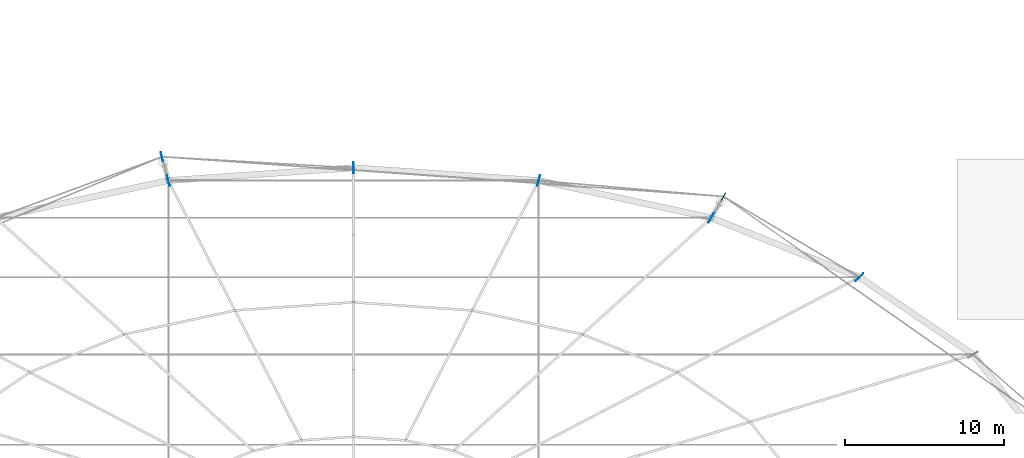
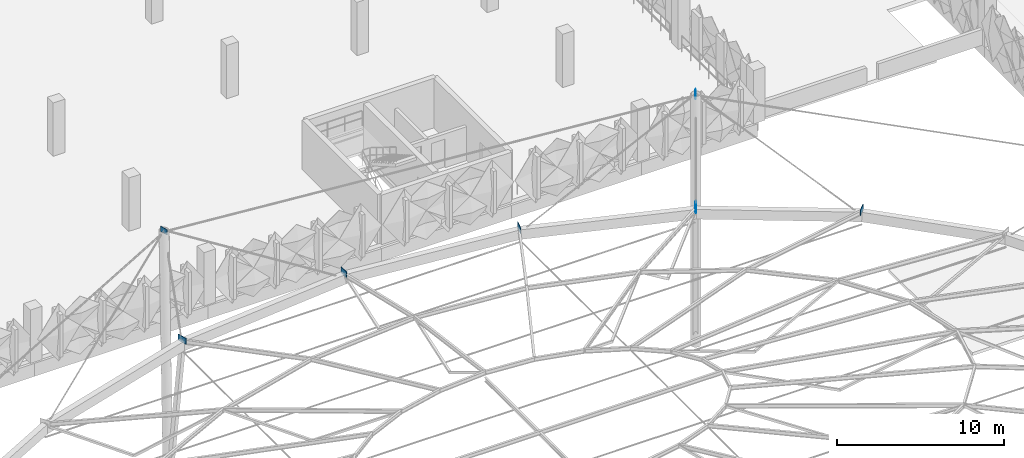
# One storey, part 44 of 96: 7 plates.
"""IFC4 building model written with IfcOpenShell, lengths in metres."""

from ifc_helpers import new_model, si_unit, derived_unit, direction, frame, origin, origin_2d, place, context, subcontext, project, spatial, rectangle, extrude, material, layer, layer_set, type_object, element, save


model = new_model("IFC4")

# Units and contexts
model_context = context("Model", 3, precision=1e-05, world=origin(), true_north=direction((0.0, 1.0)))
body_context = subcontext(model_context, "Body", "Model", "MODEL_VIEW")
ifc_project = project(units=[si_unit("LENGTHUNIT", "METRE"), si_unit("AREAUNIT", "SQUARE_METRE"), si_unit("VOLUMEUNIT", "CUBIC_METRE"), si_unit("PLANEANGLEUNIT", "RADIAN"), si_unit("MASSUNIT", "GRAM", prefix="KILO"), si_unit("THERMODYNAMICTEMPERATUREUNIT", "KELVIN"), derived_unit("THERMALTRANSMITTANCEUNIT", [(si_unit("POWERUNIT", "WATT"), 1), (si_unit("AREAUNIT", "SQUARE_METRE"), -1), (si_unit("THERMODYNAMICTEMPERATUREUNIT", "KELVIN"), -1)])], contexts=[model_context])

# Site, building, storey
site_placement = place(None, origin())
site = spatial("IfcSite", under=ifc_project, at=site_placement, CompositionType="ELEMENT")
building_placement = place(site_placement, origin())
building = spatial("IfcBuilding", under=site, at=building_placement, Name="Haiyu Intermodal Mobility Hub", CompositionType="ELEMENT")
storey_placement = place(building_placement, frame((0.0, 0.0, 9.5)))
storey = spatial("IfcBuildingStorey", under=building, at=storey_placement, Name="L02", CompositionType="ELEMENT", Elevation=9.5)

# Plates
ifc_material = material(Name="Steel Q355C", Category="steel")
ifc_layer_1 = layer(ifc_material, 0.035888671875)
ifc_layer_set_1 = layer_set([ifc_layer_1], Name="Steel Q355C")
plate_type_1 = type_object("IfcPlateType", Name="PLT-GP01", PredefinedType="USERDEFINED", material=ifc_layer_set_1)
for number, where, z_axis, x_axis, name in (
    (1, (139.820068359375, 80.616943359375, 9.4599609375), (0.0, 0.0, 1.0), (0.707106781187, 0.707106781187, 0.0), "Ring Cable Clamp Gusset Plate GP-R04"),
    (2, (130.5, 84.35205078125, 10.659912109375), (0.0, 0.0, 1.0), (0.5, 0.866025403784, 0.0), "Ring Cable Clamp Gusset Plate GP-R05"),
    (3, (119.64697265625, 86.698974609375, 11.5380859375), (0.0, 0.0, 1.0), (0.258819045103, 0.965925826289, 0.0), "Ring Cable Clamp Gusset Plate GP-R06"),
    (4, (108.0, 87.5, 11.860107421875), (0.0, 0.0, 1.0), (0.0, 1.0, 0.0), "Ring Cable Clamp Gusset Plate GP-R07"),
    (5, (96.35302734375, 86.698974609375, 11.5380859375), (0.0, 0.0, 1.0), (-0.258819045103, 0.965925826289, 0.0), "Ring Cable Clamp Gusset Plate GP-R08"),
):
    element("IfcPlate", number, at=place(storey_placement, frame(where, z_axis=z_axis, x_axis=x_axis)), inside=storey, type_object=plate_type_1, Name=name, ObjectType="GUSSET PLATE", PredefinedType="USERDEFINED", context=body_context, shape_type="SweptSolid", body=[
        extrude(rectangle(XDim=0.679931640625, YDim=0.035888671875, at=origin_2d()), origin(), (0.0, 0.0, 1.0), 0.43994140625),
    ])
ifc_layer_2 = layer(ifc_material, 0.031982421875)
ifc_layer_set_2 = layer_set([ifc_layer_2], Name="Steel Q355C")
plate_type_2 = type_object("IfcPlateType", Name="PLT-GP02", PredefinedType="USERDEFINED", material=ifc_layer_set_2)
for number, where, z_axis, x_axis, name in (
    (6, (131.27490234375, 85.694091796875, 17.8701171875), (0.0, 0.0, 1.0), (0.5, 0.866025403784, 0.0), "Masthead Stay Anchor Plate GP-M02"),
    (7, (95.951904296875, 88.196044921875, 18.748046875), (0.0, 0.0, 1.0), (-0.258819045103, 0.965925826289, 0.0), "Masthead Stay Anchor Plate GP-M03"),
):
    element("IfcPlate", number, at=place(storey_placement, frame(where, z_axis=z_axis, x_axis=x_axis)), inside=storey, type_object=plate_type_2, Name=name, ObjectType="GUSSET PLATE", PredefinedType="USERDEFINED", context=body_context, shape_type="SweptSolid", body=[
        extrude(rectangle(XDim=0.56005859375, YDim=0.031982421875, at=origin_2d()), origin(), (0.0, 0.0, 1.0), 0.3798828125),
    ])

save(model, "model.ifc")
